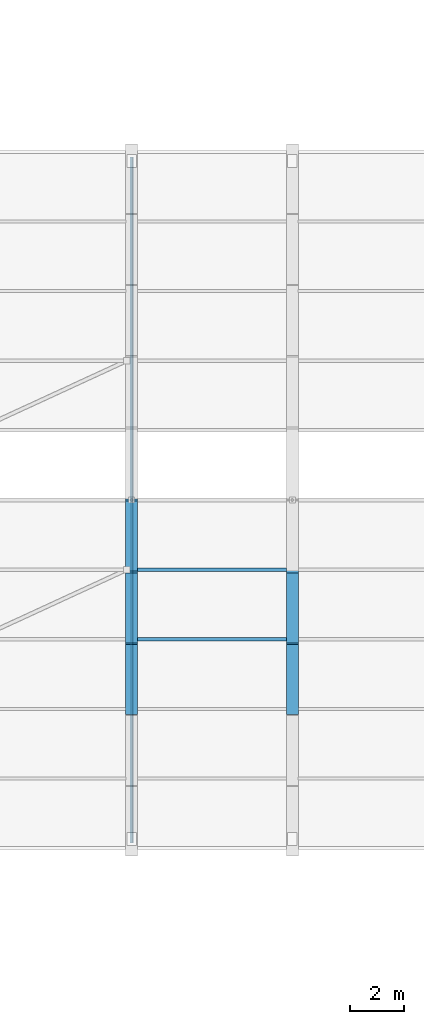
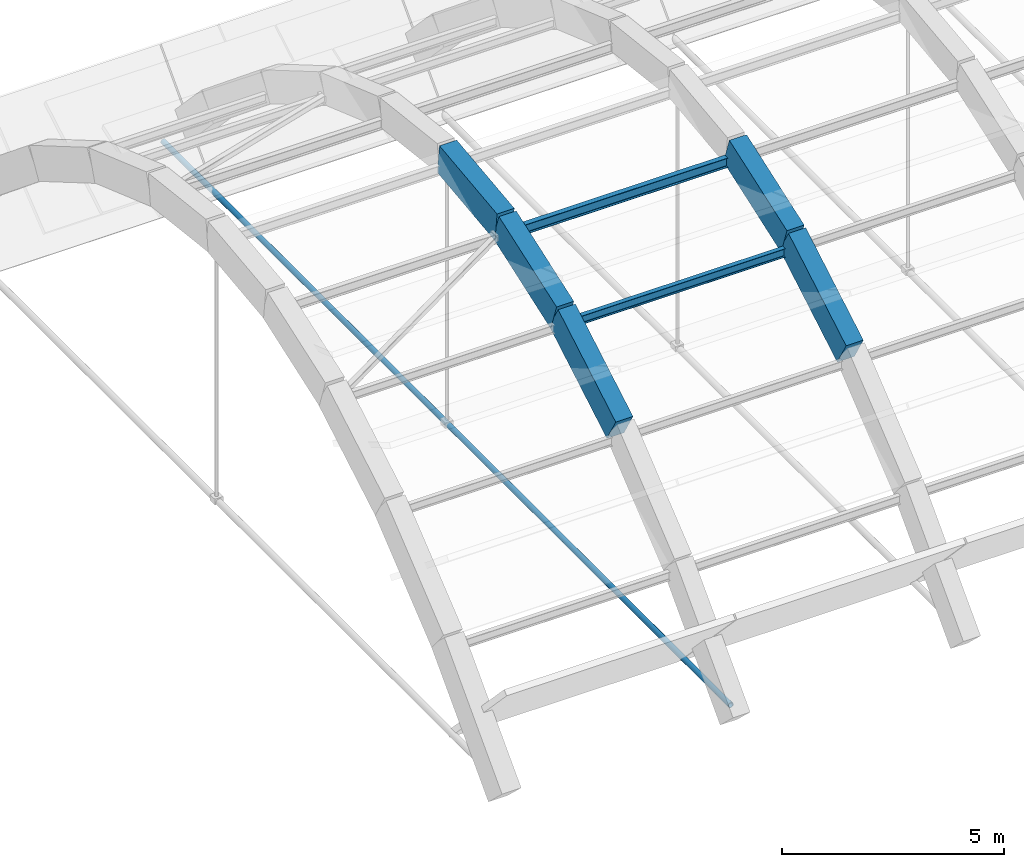
# One storey, part 23 of 123: 7 beams, 1 member.
"""IFC4 building model written with IfcOpenShell, lengths in metres."""

from ifc_helpers import new_model, si_unit, direction, frame, origin, origin_2d, place, context, subcontext, project, spatial, rectangle, hollow_circle, i_section, extrude, material, material_profile, profile_set, type_object, element, save


model = new_model("IFC4")

# Units and contexts
model_context = context("Model", 3, precision=1e-05, world=origin(), true_north=direction((0.0, 1.0)))
body_context = subcontext(model_context, "Body", "Model", "MODEL_VIEW")
ifc_project = project(units=[si_unit("LENGTHUNIT", "METRE"), si_unit("AREAUNIT", "SQUARE_METRE"), si_unit("VOLUMEUNIT", "CUBIC_METRE"), si_unit("PLANEANGLEUNIT", "RADIAN"), si_unit("MASSUNIT", "GRAM", prefix="KILO"), si_unit("POWERUNIT", "WATT"), si_unit("THERMODYNAMICTEMPERATUREUNIT", "KELVIN")], contexts=[model_context])

# Site, building, storey
site_placement = place(None, origin())
site = spatial("IfcSite", under=ifc_project, at=site_placement, CompositionType="ELEMENT")
building_placement = place(site_placement, origin())
building = spatial("IfcBuilding", under=site, at=building_placement, Name="Ruvembo Vaulted Housing Court", CompositionType="ELEMENT")
storey_placement = place(building_placement, frame((0.0, 0.0, 7.699951171875)))
storey = spatial("IfcBuildingStorey", under=building, at=storey_placement, Name="L02", CompositionType="ELEMENT", Elevation=7.699951171875)

# Beams
ifc_material_1 = material(Name="Concrete C35/45", Category="concrete")
ifc_material_profile_1 = material_profile(ifc_material_1, rectangle(XDim=0.449951171875, YDim=0.800048828125, at=origin_2d()), Name="RC 450x800")
ifc_profile_set_1 = profile_set([ifc_material_profile_1], Name="Concrete C35/45")
beam_type_1 = type_object("IfcBeamType", Name="AR-RC-450x800", PredefinedType="BEAM", material=ifc_profile_set_1)
beam_1_placement = place(storey_placement, frame((72.0, 47.199951171875, 3.364013671875), z_axis=(0.0, 0.863302227703, 0.504687292928), x_axis=(-1.0, 0.0, 0.0)))
element("IfcBeam", 1, at=beam_1_placement, inside=storey, type_object=beam_type_1, Name="Community Hall Parabolic Arch Rib AR-02 Seg 3", PredefinedType="BEAM", context=body_context, shape_type="SweptSolid", body=[
    extrude(rectangle(XDim=0.449951171875, YDim=0.800048828125, at=origin_2d()), origin(), (0.0, 0.0, 1.0), 3.01171875),
])
beam_2_placement = place(storey_placement, frame((72.0, 49.800048828125, 4.884033203125), z_axis=(0.0, 0.943613580104, 0.331048956265), x_axis=(-1.0, 0.0, 0.0)))
element("IfcBeam", 2, at=beam_2_placement, inside=storey, type_object=beam_type_1, Name="Community Hall Parabolic Arch Rib AR-02 Seg 4", PredefinedType="BEAM", context=body_context, shape_type="SweptSolid", body=[
    extrude(rectangle(XDim=0.449951171875, YDim=0.800048828125, at=origin_2d()), origin(), (0.0, 0.0, 1.0), 2.755126953125),
])
beam_3_placement = place(storey_placement, frame((72.0, 52.39990234375, 5.796142578125), z_axis=(0.0, 0.993236276414, 0.116110719637), x_axis=(-1.0, 0.0, 0.0)))
element("IfcBeam", 3, at=beam_3_placement, inside=storey, type_object=beam_type_1, Name="Community Hall Parabolic Arch Rib AR-02 Seg 5", PredefinedType="BEAM", context=body_context, shape_type="SweptSolid", body=[
    extrude(rectangle(XDim=0.449951171875, YDim=0.800048828125, at=origin_2d()), origin(), (0.0, 0.0, 1.0), 2.617919921875),
])
beam_4_placement = place(storey_placement, frame((78.0, 47.199951171875, 3.364013671875), z_axis=(0.0, 0.863302227703, 0.504687292928), x_axis=(-1.0, 0.0, 0.0)))
element("IfcBeam", 4, at=beam_4_placement, inside=storey, type_object=beam_type_1, Name="Community Hall Parabolic Arch Rib AR-03 Seg 3", PredefinedType="BEAM", context=body_context, shape_type="SweptSolid", body=[
    extrude(rectangle(XDim=0.449951171875, YDim=0.800048828125, at=origin_2d()), origin(), (0.0, 0.0, 1.0), 3.01171875),
])
beam_5_placement = place(storey_placement, frame((78.0, 49.800048828125, 4.884033203125), z_axis=(0.0, 0.943613580104, 0.331048956265), x_axis=(-1.0, 0.0, 0.0)))
element("IfcBeam", 5, at=beam_5_placement, inside=storey, type_object=beam_type_1, Name="Community Hall Parabolic Arch Rib AR-03 Seg 4", PredefinedType="BEAM", context=body_context, shape_type="SweptSolid", body=[
    extrude(rectangle(XDim=0.449951171875, YDim=0.800048828125, at=origin_2d()), origin(), (0.0, 0.0, 1.0), 2.755126953125),
])
ifc_material_2 = material(Name="Steel S355J2", Category="steel")
ifc_material_profile_2 = material_profile(ifc_material_2, i_section(OverallWidth=0.1201171875, OverallDepth=0.239990234375, WebThickness=0.006103515625, FlangeThickness=0.009765625, FilletRadius=0.014892578125, at=origin_2d()), Name="IPE 240")
ifc_profile_set_2 = profile_set([ifc_material_profile_2], Name="Steel S355J2")
beam_type_2 = type_object("IfcBeamType", Name="BM-ST-IPE240", PredefinedType="BEAM", material=ifc_profile_set_2)
beam_6_placement = place(storey_placement, frame((72.2099609375, 49.800048828125, 4.60400390625), z_axis=(1.0, 0.0, 0.0), x_axis=(0.0, 1.0, 0.0)))
element("IfcBeam", 6, at=beam_6_placement, inside=storey, type_object=beam_type_2, Name="Vault Bay 2 Steel Purlin K3", PredefinedType="BEAM", context=body_context, shape_type="SweptSolid", body=[
    extrude(i_section(OverallWidth=0.1201171875, OverallDepth=0.239990234375, WebThickness=0.006103515625, FlangeThickness=0.009765625, FilletRadius=0.014892578125, at=origin_2d()), origin(), (0.0, 0.0, 1.0), 5.580078125),
])
ifc_material_profile_3 = material_profile(ifc_material_2, i_section(OverallWidth=0.135009765625, OverallDepth=0.27001953125, WebThickness=0.006591796875, FlangeThickness=0.01025390625, FilletRadius=0.014892578125, at=origin_2d()), Name="IPE 270")
ifc_profile_set_3 = profile_set([ifc_material_profile_3], Name="Steel S355J2")
beam_type_3 = type_object("IfcBeamType", Name="BM-ST-IPE270", PredefinedType="BEAM", material=ifc_profile_set_3)
beam_7_placement = place(storey_placement, frame((72.2099609375, 52.39990234375, 5.51611328125), z_axis=(1.0, 0.0, 0.0), x_axis=(0.0, 1.0, 0.0)))
element("IfcBeam", 7, at=beam_7_placement, inside=storey, type_object=beam_type_3, Name="Vault Bay 2 Steel Purlin K4", PredefinedType="BEAM", context=body_context, shape_type="SweptSolid", body=[
    extrude(i_section(OverallWidth=0.135009765625, OverallDepth=0.27001953125, WebThickness=0.006591796875, FlangeThickness=0.01025390625, FilletRadius=0.014892578125, at=origin_2d()), origin(), (0.0, 0.0, 1.0), 5.580078125),
])

# Member
ifc_material_profile_4 = material_profile(ifc_material_2, hollow_circle(Radius=0.06982421875, WallThickness=0.008056640625, at=origin_2d()), Name="CHS 139.7x8")
ifc_profile_set_4 = profile_set([ifc_material_profile_4], Name="Steel S355J2")
member_type = type_object("IfcMemberType", Name="MEM-TIE-CHS139", PredefinedType="USERDEFINED", material=ifc_profile_set_4)
member_placement = place(storey_placement, frame((72.0, 42.199951171875, -1.25), z_axis=(0.0, 1.0, 0.0), x_axis=(-1.0, 0.0, 0.0)))
element("IfcMember", 8, at=member_placement, inside=storey, type_object=member_type, Name="Vault Springing Steel Tension Tie VT-02", ObjectType="TIE_ROD", PredefinedType="USERDEFINED", context=body_context, shape_type="SweptSolid", body=[
    extrude(hollow_circle(Radius=0.06982421875, WallThickness=0.008056640625, at=origin_2d()), origin(), (0.0, 0.0, 1.0), 25.60009765625),
])

save(model, "model.ifc")
